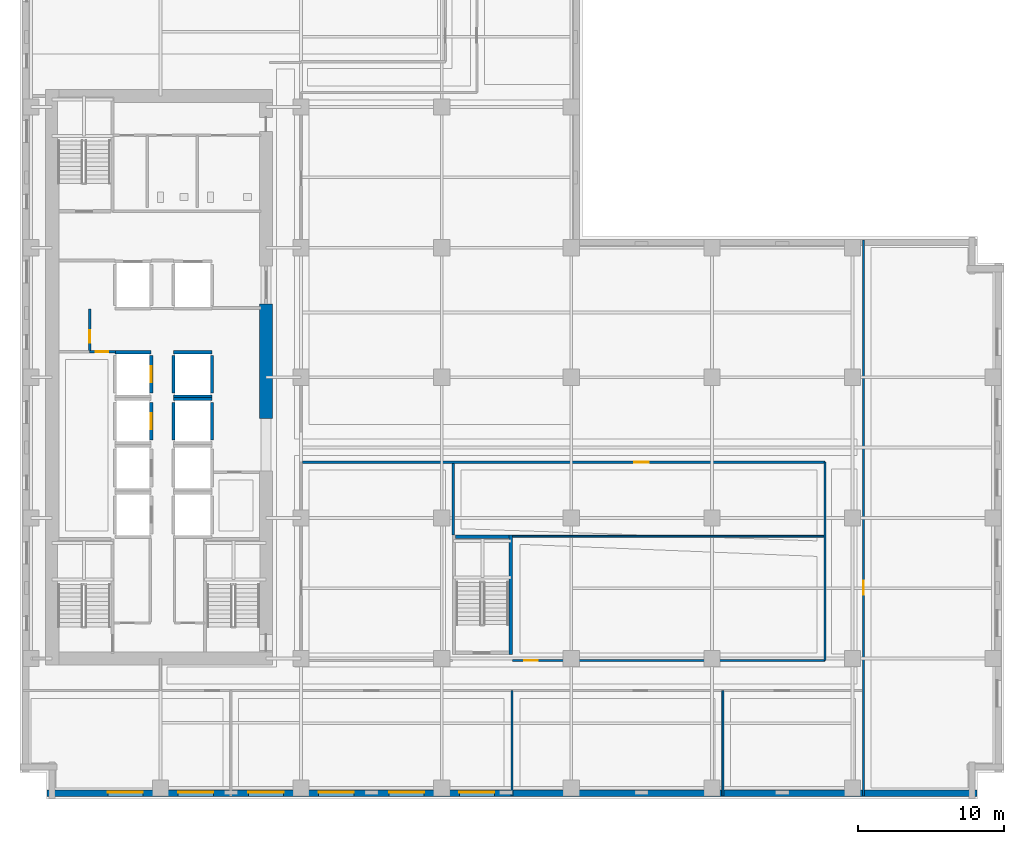
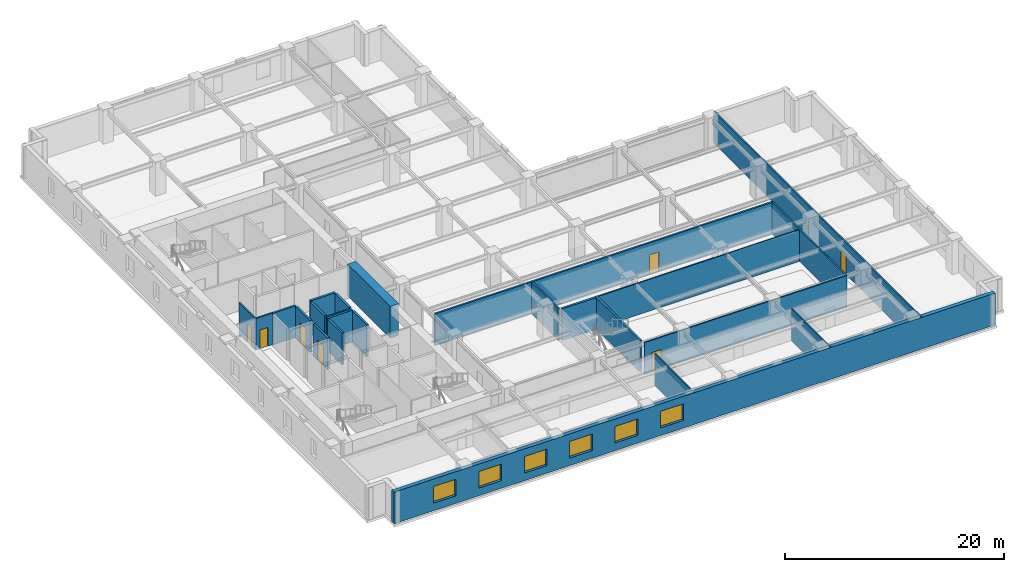
# One storey, part 5 of 13: 24 walls, 7 doors, 6 windows, 13 openings.
"""IFC4 building model written with IfcOpenShell, lengths in metres."""

from ifc_helpers import new_model, si_unit, direction, frame, frame_2d, origin, place, context, subcontext, project, spatial, rectangle, extrude, material, layer, layer_set, type_object, element, fill, save


model = new_model("IFC4")

# Units and contexts
model_context = context("Model", 3, precision=1e-05, world=origin(), true_north=direction((0.0, 1.0)))
body_context = subcontext(model_context, "Body", "Model", "MODEL_VIEW")
ifc_project = project(units=[si_unit("LENGTHUNIT", "METRE"), si_unit("AREAUNIT", "SQUARE_METRE"), si_unit("VOLUMEUNIT", "CUBIC_METRE"), si_unit("PLANEANGLEUNIT", "RADIAN"), si_unit("MASSUNIT", "GRAM", prefix="KILO")], contexts=[model_context])

# Site, building, storey
site_placement = place(None, origin())
site = spatial("IfcSite", under=ifc_project, at=site_placement, CompositionType="ELEMENT")
building_placement = place(site_placement, origin())
building = spatial("IfcBuilding", under=site, at=building_placement, Name="Norrvale University Quadrangle", CompositionType="ELEMENT")
storey_placement = place(building_placement, frame((0.0, 0.0, 81.199951171875)))
storey = spatial("IfcBuildingStorey", under=building, at=storey_placement, Name="L20", CompositionType="ELEMENT", Elevation=81.199951171875)

# Wall, openings, windows
ifc_material_1 = material(Name="Buff Norman Clay Brick Masonry", Category="masonry")
ifc_layer_1 = layer(ifc_material_1, 0.419921875, Name="Buff Norman Clay Brick Masonry")
ifc_layer_set_1 = layer_set([ifc_layer_1], Name="Buff Norman Clay Brick Masonry")
wall_type_1 = type_object("IfcWallType", Name="Wall Buff Brick 420", PredefinedType="SOLIDWALL", material=ifc_layer_set_1)
wall_1_placement = place(storey_placement, frame((1.840087890625, 0.389892578125, 0.0), z_axis=(0.0, 0.0, 1.0), x_axis=(1.0, 0.0, 0.0)))
wall_1 = element("IfcWall", 1, at=wall_1_placement, inside=storey, type_object=wall_type_1, Name="Exterior Brick Facade Wall L20-01.1", PredefinedType="SOLIDWALL", context=body_context, shape_type="SweptSolid", body=[
    extrude(rectangle(XDim=63.52001953125, YDim=0.419921875, at=frame_2d((31.760009765625, 0.0))), origin(), (0.0, 0.0, 1.0), 3.5400390625),
])
opening_1_placement = place(wall_1_placement, frame((4.159912109375, 0.0, 0.85009765625)))
opening_1 = element("IfcOpeningElement", 2, at=opening_1_placement, cuts=wall_1, Name="Opening W02", PredefinedType="OPENING", context=body_context, shape_type="SweptSolid", body=[
    extrude(rectangle(XDim=2.39990234375, YDim=1.85009765625, at=frame_2d((1.199951171875, 0.925048828125))), frame((0.0, 0.221923828125, 0.0), z_axis=(0.0, -1.0, 0.0), x_axis=(1.0, 0.0, 0.0)), (0.0, 0.0, 1.0), 0.44384765625),
])
opening_2_placement = place(wall_1_placement, frame((8.9599609375, 0.0, 0.85009765625)))
opening_2 = element("IfcOpeningElement", 3, at=opening_2_placement, cuts=wall_1, Name="Opening W02", PredefinedType="OPENING", context=body_context, shape_type="SweptSolid", body=[
    extrude(rectangle(XDim=2.39990234375, YDim=1.85009765625, at=frame_2d((1.199951171875, 0.925048828125))), frame((0.0, 0.221923828125, 0.0), z_axis=(0.0, -1.0, 0.0), x_axis=(1.0, 0.0, 0.0)), (0.0, 0.0, 1.0), 0.44384765625),
])
opening_3_placement = place(wall_1_placement, frame((13.760009765625, 0.0, 0.85009765625)))
opening_3 = element("IfcOpeningElement", 4, at=opening_3_placement, cuts=wall_1, Name="Opening W02", PredefinedType="OPENING", context=body_context, shape_type="SweptSolid", body=[
    extrude(rectangle(XDim=2.39990234375, YDim=1.85009765625, at=frame_2d((1.199951171875, 0.925048828125))), frame((0.0, 0.221923828125, 0.0), z_axis=(0.0, -1.0, 0.0), x_axis=(1.0, 0.0, 0.0)), (0.0, 0.0, 1.0), 0.44384765625),
])
opening_4_placement = place(wall_1_placement, frame((18.56005859375, 0.0, 0.85009765625)))
opening_4 = element("IfcOpeningElement", 5, at=opening_4_placement, cuts=wall_1, Name="Opening W02", PredefinedType="OPENING", context=body_context, shape_type="SweptSolid", body=[
    extrude(rectangle(XDim=2.39990234375, YDim=1.85009765625, at=frame_2d((1.199951171875, 0.925048828125))), frame((0.0, 0.221923828125, 0.0), z_axis=(0.0, -1.0, 0.0), x_axis=(1.0, 0.0, 0.0)), (0.0, 0.0, 1.0), 0.44384765625),
])
opening_5_placement = place(wall_1_placement, frame((23.360107421875, 0.0, 0.85009765625)))
opening_5 = element("IfcOpeningElement", 6, at=opening_5_placement, cuts=wall_1, Name="Opening W02", PredefinedType="OPENING", context=body_context, shape_type="SweptSolid", body=[
    extrude(rectangle(XDim=2.39990234375, YDim=1.85009765625, at=frame_2d((1.199951171875, 0.925048828125))), frame((0.0, 0.221923828125, 0.0), z_axis=(0.0, -1.0, 0.0), x_axis=(1.0, 0.0, 0.0)), (0.0, 0.0, 1.0), 0.44384765625),
])
opening_6_placement = place(wall_1_placement, frame((28.159912109375, 0.0, 0.85009765625)))
opening_6 = element("IfcOpeningElement", 7, at=opening_6_placement, cuts=wall_1, Name="Opening W02", PredefinedType="OPENING", context=body_context, shape_type="SweptSolid", body=[
    extrude(rectangle(XDim=2.39990234375, YDim=1.85009765625, at=frame_2d((1.199951171875, 0.925048828125))), frame((0.0, 0.221923828125, 0.0), z_axis=(0.0, -1.0, 0.0), x_axis=(1.0, 0.0, 0.0)), (0.0, 0.0, 1.0), 0.44384765625),
])
ifc_material_2 = material(Name="Triple Low-E Argon Glazing", Category="glass")
window_type = type_object("IfcWindowType", Name="Window Academic 2400x2300", PartitioningType="TRIPLE_PANEL_VERTICAL", PredefinedType="WINDOW", material=ifc_material_2)
window_1_placement = place(opening_1_placement, origin())
window_1 = element("IfcWindow", 8, at=window_1_placement, inside=storey, type_object=window_type, Name="Window Academic 2400x2300 WIN-L20-E01-1-01", OverallHeight=1.85009765625, OverallWidth=2.39990234375, PartitioningType="TRIPLE_PANEL_VERTICAL", PredefinedType="WINDOW", context=body_context, shape_type="SweptSolid", body=[
    extrude(rectangle(XDim=2.39990234375, YDim=1.85009765625, at=frame_2d((1.199951171875, 0.925048828125))), frame((0.0, 0.110107421875, 0.0), z_axis=(0.0, -1.0, 0.0), x_axis=(1.0, 0.0, 0.0)), (0.0, 0.0, 1.0), 0.06005859375),
])
fill(opening_1, window_1)
window_2_placement = place(opening_2_placement, origin())
window_2 = element("IfcWindow", 9, at=window_2_placement, inside=storey, type_object=window_type, Name="Window Academic 2400x2300 WIN-L20-E01-1-02", OverallHeight=1.85009765625, OverallWidth=2.39990234375, PartitioningType="TRIPLE_PANEL_VERTICAL", PredefinedType="WINDOW", context=body_context, shape_type="SweptSolid", body=[
    extrude(rectangle(XDim=2.39990234375, YDim=1.85009765625, at=frame_2d((1.199951171875, 0.925048828125))), frame((0.0, 0.110107421875, 0.0), z_axis=(0.0, -1.0, 0.0), x_axis=(1.0, 0.0, 0.0)), (0.0, 0.0, 1.0), 0.06005859375),
])
fill(opening_2, window_2)
window_3_placement = place(opening_3_placement, origin())
window_3 = element("IfcWindow", 10, at=window_3_placement, inside=storey, type_object=window_type, Name="Window Academic 2400x2300 WIN-L20-E01-1-03", OverallHeight=1.85009765625, OverallWidth=2.39990234375, PartitioningType="TRIPLE_PANEL_VERTICAL", PredefinedType="WINDOW", context=body_context, shape_type="SweptSolid", body=[
    extrude(rectangle(XDim=2.39990234375, YDim=1.85009765625, at=frame_2d((1.199951171875, 0.925048828125))), frame((0.0, 0.110107421875, 0.0), z_axis=(0.0, -1.0, 0.0), x_axis=(1.0, 0.0, 0.0)), (0.0, 0.0, 1.0), 0.06005859375),
])
fill(opening_3, window_3)
window_4_placement = place(opening_4_placement, origin())
window_4 = element("IfcWindow", 11, at=window_4_placement, inside=storey, type_object=window_type, Name="Window Academic 2400x2300 WIN-L20-E01-1-04", OverallHeight=1.85009765625, OverallWidth=2.39990234375, PartitioningType="TRIPLE_PANEL_VERTICAL", PredefinedType="WINDOW", context=body_context, shape_type="SweptSolid", body=[
    extrude(rectangle(XDim=2.39990234375, YDim=1.85009765625, at=frame_2d((1.199951171875, 0.925048828125))), frame((0.0, 0.110107421875, 0.0), z_axis=(0.0, -1.0, 0.0), x_axis=(1.0, 0.0, 0.0)), (0.0, 0.0, 1.0), 0.06005859375),
])
fill(opening_4, window_4)
window_5_placement = place(opening_5_placement, origin())
window_5 = element("IfcWindow", 12, at=window_5_placement, inside=storey, type_object=window_type, Name="Window Academic 2400x2300 WIN-L20-E01-1-05", OverallHeight=1.85009765625, OverallWidth=2.39990234375, PartitioningType="TRIPLE_PANEL_VERTICAL", PredefinedType="WINDOW", context=body_context, shape_type="SweptSolid", body=[
    extrude(rectangle(XDim=2.39990234375, YDim=1.85009765625, at=frame_2d((1.199951171875, 0.925048828125))), frame((0.0, 0.110107421875, 0.0), z_axis=(0.0, -1.0, 0.0), x_axis=(1.0, 0.0, 0.0)), (0.0, 0.0, 1.0), 0.06005859375),
])
fill(opening_5, window_5)
window_6_placement = place(opening_6_placement, origin())
window_6 = element("IfcWindow", 13, at=window_6_placement, inside=storey, type_object=window_type, Name="Window Academic 2400x2300 WIN-L20-E01-1-06", OverallHeight=1.85009765625, OverallWidth=2.39990234375, PartitioningType="TRIPLE_PANEL_VERTICAL", PredefinedType="WINDOW", context=body_context, shape_type="SweptSolid", body=[
    extrude(rectangle(XDim=2.39990234375, YDim=1.85009765625, at=frame_2d((1.199951171875, 0.925048828125))), frame((0.0, 0.110107421875, 0.0), z_axis=(0.0, -1.0, 0.0), x_axis=(1.0, 0.0, 0.0)), (0.0, 0.0, 1.0), 0.06005859375),
])
fill(opening_6, window_6)

# Walls
ifc_material_3 = material(Name="Concrete C80/95", Category="concrete")
ifc_layer_2 = layer(ifc_material_3, 0.89990234375, Name="Concrete C80/95")
ifc_layer_set_2 = layer_set([ifc_layer_2], Name="Concrete C80/95")
wall_type_2 = type_object("IfcWallType", Name="Wall Core 900", PredefinedType="SHEAR", material=ifc_layer_set_2)
wall_2_placement = place(storey_placement, frame((16.800048828125, 26.0, 0.0), z_axis=(0.0, 0.0, 1.0), x_axis=(0.0, 1.0, 0.0)))
element("IfcWall", 14, at=wall_2_placement, inside=storey, type_object=wall_type_2, Name="Tower Core Shear Wall L20-E2", PredefinedType="SHEAR", context=body_context, shape_type="SweptSolid", body=[
    extrude(rectangle(XDim=7.800048828125, YDim=0.89990234375, at=frame_2d((3.89990234375, 0.0))), origin(), (0.0, 0.0, 1.0), 3.5400390625),
])
ifc_material_4 = material(Name="Standard Academic Gypsum Partition")
ifc_layer_3 = layer(ifc_material_4, 0.125, Name="Standard Academic Gypsum Partition")
ifc_layer_set_3 = layer_set([ifc_layer_3], Name="Standard Academic Gypsum Partition")
wall_type_3 = type_object("IfcWallType", Name="Wall Gypsum Academic 125", PredefinedType="PARTITIONING", material=ifc_layer_set_3)
for number, where, z_axis, x_axis, name in (
    (15, (33.60009765625, 0.219970703125, 0.0), (0.0, 0.0, 1.0), (0.0, 1.0, 0.0), "Interior Partition WL-L20-SP02"),
    (16, (48.0, 0.219970703125, 0.0), (0.0, 0.0, 1.0), (0.0, 1.0, 0.0), "Interior Partition WL-L20-SP03"),
):
    element("IfcWall", number, at=place(storey_placement, frame(where, z_axis=z_axis, x_axis=x_axis)), inside=storey, type_object=wall_type_3, Name=name, PredefinedType="PARTITIONING", context=body_context, shape_type="SweptSolid", body=[
        extrude(rectangle(XDim=7.179931640625, YDim=0.125, at=frame_2d((3.58984375, 0.0))), origin(), (0.0, 0.0, 1.0), 3.5400390625),
    ])
wall_3_placement = place(storey_placement, frame((33.6201171875, 17.93994140625, 0.0), z_axis=(0.0, 0.0, 1.0), x_axis=(1.0, 0.0, 0.0)))
element("IfcWall", 17, at=wall_3_placement, inside=storey, type_object=wall_type_3, Name="Interior Partition WL-L20-ISLH", PredefinedType="PARTITIONING", context=body_context, shape_type="SweptSolid", body=[
    extrude(rectangle(XDim=21.35498046875, YDim=0.125, at=frame_2d((10.677490234375, 0.0))), origin(), (0.0, 0.0, 1.0), 3.5400390625),
])

# Wall, opening, door
ifc_material_5 = material(Name="Fire-Rated Gypsum Stud Partition")
ifc_layer_4 = layer(ifc_material_5, 0.14990234375, Name="Fire-Rated Gypsum Stud Partition")
ifc_layer_set_4 = layer_set([ifc_layer_4], Name="Fire-Rated Gypsum Stud Partition")
wall_type_4 = type_object("IfcWallType", Name="Wall Gypsum Corridor 150", PredefinedType="PARTITIONING", material=ifc_layer_set_4)
wall_4_placement = place(storey_placement, frame((4.760009765625, 30.550048828125, 0.0), z_axis=(0.0, 0.0, 1.0), x_axis=(0.0, 1.0, 0.0)))
wall_4 = element("IfcWall", 18, at=wall_4_placement, inside=storey, type_object=wall_type_4, Name="Interior Partition WL-L20-WME-E", PredefinedType="PARTITIONING", context=body_context, shape_type="SweptSolid", body=[
    extrude(rectangle(XDim=2.929931640625, YDim=0.14990234375, at=frame_2d((1.46484375, 0.0))), origin(), (0.0, 0.0, 1.0), 3.5400390625),
])
opening_7_placement = place(wall_4_placement, frame((0.60009765625, 0.0, 0.0)))
opening_7 = element("IfcOpeningElement", 19, at=opening_7_placement, cuts=wall_4, Name="Opening D10", PredefinedType="OPENING", context=body_context, shape_type="SweptSolid", body=[
    extrude(rectangle(XDim=0.85009765625, YDim=2.10009765625, at=frame_2d((0.425048828125, 1.050048828125))), frame((0.0, 0.0869140625, 0.0), z_axis=(0.0, -1.0, 0.0), x_axis=(1.0, 0.0, 0.0)), (0.0, 0.0, 1.0), 0.173828125),
])
ifc_material_6 = material(Name="Hollow Steel 350W Riser Fire Door", Category="steel")
door_type_1 = type_object("IfcDoorType", Name="Door Riser 850x2100", OperationType="NOTDEFINED", PredefinedType="DOOR", material=ifc_material_6)
door_1_placement = place(opening_7_placement, origin())
door_1 = element("IfcDoor", 20, at=door_1_placement, inside=storey, type_object=door_type_1, Name="Door Riser 850x2100 DR-L20-WME", OperationType="SINGLE_SWING_LEFT", OverallHeight=2.10009765625, OverallWidth=0.85009765625, PredefinedType="DOOR", context=body_context, shape_type="SweptSolid", body=[
    extrude(rectangle(XDim=0.85009765625, YDim=2.10009765625, at=frame_2d((0.425048828125, 1.050048828125))), frame((0.0, 0.02490234375, 0.0), z_axis=(0.0, -1.0, 0.0), x_axis=(1.0, 0.0, 0.0)), (0.0, 0.0, 1.0), 0.050048828125),
])
fill(opening_7, door_1)

wall_5_placement = place(storey_placement, frame((4.760009765625, 30.550048828125, 0.0), z_axis=(0.0, 0.0, 1.0), x_axis=(1.0, 0.0, 0.0)))
wall_5 = element("IfcWall", 21, at=wall_5_placement, inside=storey, type_object=wall_type_4, Name="Interior Partition WL-L20-WST-N", PredefinedType="PARTITIONING", context=body_context, shape_type="SweptSolid", body=[
    extrude(rectangle(XDim=1.760009765625, YDim=0.14990234375, at=frame_2d((0.8798828125, 0.0))), origin(), (0.0, 0.0, 1.0), 3.5400390625),
])
opening_8_placement = place(wall_5_placement, frame((0.39990234375, 0.0, 0.0)))
opening_8 = element("IfcOpeningElement", 22, at=opening_8_placement, cuts=wall_5, Name="Opening D10", PredefinedType="OPENING", context=body_context, shape_type="SweptSolid", body=[
    extrude(rectangle(XDim=0.85009765625, YDim=2.10009765625, at=frame_2d((0.425048828125, 1.050048828125))), frame((0.0, 0.0869140625, 0.0), z_axis=(0.0, -1.0, 0.0), x_axis=(1.0, 0.0, 0.0)), (0.0, 0.0, 1.0), 0.173828125),
])
door_2_placement = place(opening_8_placement, origin())
door_2 = element("IfcDoor", 23, at=door_2_placement, inside=storey, type_object=door_type_1, Name="Door Riser 850x2100 DR-L20-WST", OperationType="SINGLE_SWING_RIGHT", OverallHeight=2.10009765625, OverallWidth=0.85009765625, PredefinedType="DOOR", context=body_context, shape_type="SweptSolid", body=[
    extrude(rectangle(XDim=0.85009765625, YDim=2.10009765625, at=frame_2d((0.425048828125, 1.050048828125))), frame((0.0, 0.02490234375, 0.0), z_axis=(0.0, -1.0, 0.0), x_axis=(1.0, 0.0, 0.0)), (0.0, 0.0, 1.0), 0.050048828125),
])
fill(opening_8, door_2)

wall_6_placement = place(storey_placement, frame((57.60009765625, 0.219970703125, 0.0), z_axis=(0.0, 0.0, 1.0), x_axis=(0.0, 1.0, 0.0)))
wall_6 = element("IfcWall", 24, at=wall_6_placement, inside=storey, type_object=wall_type_4, Name="Interior Partition WL-L20-ECW", PredefinedType="PARTITIONING", context=body_context, shape_type="SweptSolid", body=[
    extrude(rectangle(XDim=37.9599609375, YDim=0.14990234375, at=frame_2d((18.97998046875, 0.0))), origin(), (0.0, 0.0, 1.0), 3.5400390625),
])
opening_9_placement = place(wall_6_placement, frame((13.72998046875, 0.0, 0.0)))
opening_9 = element("IfcOpeningElement", 25, at=opening_9_placement, cuts=wall_6, Name="Opening D07", PredefinedType="OPENING", context=body_context, shape_type="SweptSolid", body=[
    extrude(rectangle(XDim=0.949951171875, YDim=2.14990234375, at=frame_2d((0.47509765625, 1.074951171875))), frame((0.0, 0.0869140625, 0.0), z_axis=(0.0, -1.0, 0.0), x_axis=(1.0, 0.0, 0.0)), (0.0, 0.0, 1.0), 0.173828125),
])
ifc_material_7 = material(Name="Solid-Core Maple Door", Category="wood")
door_type_2 = type_object("IfcDoorType", Name="Door Office 950x2150", OperationType="NOTDEFINED", PredefinedType="DOOR", material=ifc_material_7)
door_3_placement = place(opening_9_placement, origin())
door_3 = element("IfcDoor", 26, at=door_3_placement, inside=storey, type_object=door_type_2, Name="Door Office 950x2150 DR-L20-E01", OperationType="SINGLE_SWING_RIGHT", OverallHeight=2.14990234375, OverallWidth=0.949951171875, PredefinedType="DOOR", context=body_context, shape_type="SweptSolid", body=[
    extrude(rectangle(XDim=0.949951171875, YDim=2.14990234375, at=frame_2d((0.47509765625, 1.074951171875))), frame((0.0, 0.02490234375, 0.0), z_axis=(0.0, -1.0, 0.0), x_axis=(1.0, 0.0, 0.0)), (0.0, 0.0, 1.0), 0.050048828125),
])
fill(opening_9, door_3)

wall_7_placement = place(storey_placement, frame((33.6201171875, 9.449951171875, 0.0), z_axis=(0.0, 0.0, 1.0), x_axis=(1.0, 0.0, 0.0)))
wall_7 = element("IfcWall", 27, at=wall_7_placement, inside=storey, type_object=wall_type_4, Name="Interior Partition WL-L20-ISLS2", PredefinedType="PARTITIONING", context=body_context, shape_type="SweptSolid", body=[
    extrude(rectangle(XDim=21.35498046875, YDim=0.14990234375, at=frame_2d((10.677490234375, 0.0))), origin(), (0.0, 0.0, 1.0), 3.5400390625),
])
opening_10_placement = place(wall_7_placement, frame((0.800048828125, 0.0, 0.0)))
opening_10 = element("IfcOpeningElement", 28, at=opening_10_placement, cuts=wall_7, Name="Opening D07", PredefinedType="OPENING", context=body_context, shape_type="SweptSolid", body=[
    extrude(rectangle(XDim=0.949951171875, YDim=2.14990234375, at=frame_2d((0.47509765625, 1.074951171875))), frame((0.0, 0.0869140625, 0.0), z_axis=(0.0, -1.0, 0.0), x_axis=(1.0, 0.0, 0.0)), (0.0, 0.0, 1.0), 0.173828125),
])
door_4_placement = place(opening_10_placement, origin())
door_4 = element("IfcDoor", 29, at=door_4_placement, inside=storey, type_object=door_type_2, Name="Door Office 950x2150 DR-L20-ISE", OperationType="SINGLE_SWING_LEFT", OverallHeight=2.14990234375, OverallWidth=0.949951171875, PredefinedType="DOOR", context=body_context, shape_type="SweptSolid", body=[
    extrude(rectangle(XDim=0.949951171875, YDim=2.14990234375, at=frame_2d((0.47509765625, 1.074951171875))), frame((0.0, 0.02490234375, 0.0), z_axis=(0.0, -1.0, 0.0), x_axis=(1.0, 0.0, 0.0)), (0.0, 0.0, 1.0), 0.050048828125),
])
fill(opening_10, door_4)

# Walls
wall_8_placement = place(storey_placement, frame((54.97509765625, 9.449951171875, 0.0), z_axis=(0.0, 0.0, 1.0), x_axis=(0.0, 1.0, 0.0)))
element("IfcWall", 30, at=wall_8_placement, inside=storey, type_object=wall_type_4, Name="Interior Partition WL-L20-ISLE", PredefinedType="PARTITIONING", context=body_context, shape_type="SweptSolid", body=[
    extrude(rectangle(XDim=13.550048828125, YDim=0.14990234375, at=frame_2d((6.77490234375, 0.0))), origin(), (0.0, 0.0, 1.0), 3.5400390625),
])
ifc_material_8 = material(Name="Acoustic Double-Stud Gypsum Partition")
ifc_layer_5 = layer(ifc_material_8, 0.179931640625, Name="Acoustic Double-Stud Gypsum Partition")
ifc_layer_set_5 = layer_set([ifc_layer_5], Name="Acoustic Double-Stud Gypsum Partition")
wall_type_5 = type_object("IfcWallType", Name="Wall Gypsum Lecture 180", PredefinedType="PARTITIONING", material=ifc_layer_set_5)
wall_9_placement = place(storey_placement, frame((29.580078125, 18.02490234375, 0.0), z_axis=(0.0, 0.0, 1.0), x_axis=(0.0, 1.0, 0.0)))
element("IfcWall", 31, at=wall_9_placement, inside=storey, type_object=wall_type_5, Name="Interior Partition WL-L20-ISLD", PredefinedType="PARTITIONING", context=body_context, shape_type="SweptSolid", body=[
    extrude(rectangle(XDim=4.880126953125, YDim=0.179931640625, at=frame_2d((2.43994140625, 0.0))), origin(), (0.0, 0.0, 1.0), 3.5400390625),
])

# Wall, opening, door
wall_10_placement = place(storey_placement, frame((19.280029296875, 23.0, 0.0), z_axis=(0.0, 0.0, 1.0), x_axis=(1.0, 0.0, 0.0)))
wall_10 = element("IfcWall", 32, at=wall_10_placement, inside=storey, type_object=wall_type_5, Name="Interior Partition WL-L20-ISLN", PredefinedType="PARTITIONING", context=body_context, shape_type="SweptSolid", body=[
    extrude(rectangle(XDim=35.695068359375, YDim=0.179931640625, at=frame_2d((17.84765625, 0.0))), origin(), (0.0, 0.0, 1.0), 3.5400390625),
])
opening_11_placement = place(wall_10_placement, frame((22.669921875, 0.0, 0.0)))
opening_11 = element("IfcOpeningElement", 33, at=opening_11_placement, cuts=wall_10, Name="Opening D04", PredefinedType="OPENING", context=body_context, shape_type="SweptSolid", body=[
    extrude(rectangle(XDim=1.0, YDim=2.199951171875, at=frame_2d((0.5, 1.10009765625))), frame((0.0, 0.10205078125, 0.0), z_axis=(0.0, -1.0, 0.0), x_axis=(1.0, 0.0, 0.0)), (0.0, 0.0, 1.0), 0.203857421875),
])
ifc_material_9 = material(Name="Solid-Core Oak Fire Door", Category="wood")
door_type_3 = type_object("IfcDoorType", Name="Door Corridor 1000x2200", OperationType="NOTDEFINED", PredefinedType="DOOR", material=ifc_material_9)
door_5_placement = place(opening_11_placement, origin())
door_5 = element("IfcDoor", 34, at=door_5_placement, inside=storey, type_object=door_type_3, Name="Door Corridor 1000x2200 DR-L20-ILH", OperationType="SINGLE_SWING_RIGHT", OverallHeight=2.199951171875, OverallWidth=1.0, PredefinedType="DOOR", context=body_context, shape_type="SweptSolid", body=[
    extrude(rectangle(XDim=1.0, YDim=2.199951171875, at=frame_2d((0.5, 1.10009765625))), frame((0.0, 0.02490234375, 0.0), z_axis=(0.0, -1.0, 0.0), x_axis=(1.0, 0.0, 0.0)), (0.0, 0.0, 1.0), 0.050048828125),
])
fill(opening_11, door_5)

# Walls
ifc_material_10 = material(Name="Concrete Blockwork 20 MPa Fire Shaft", Category="masonry")
ifc_layer_6 = layer(ifc_material_10, 0.219970703125, Name="Concrete Blockwork 20 MPa Fire Shaft")
ifc_layer_set_6 = layer_set([ifc_layer_6], Name="Concrete Blockwork 20 MPa Fire Shaft")
wall_type_6 = type_object("IfcWallType", Name="Wall Shaft 220", PredefinedType="SOLIDWALL", material=ifc_layer_set_6)
wall_11_placement = place(storey_placement, frame((33.510009765625, 9.8798828125, 0.0), z_axis=(0.0, 0.0, 1.0), x_axis=(0.0, 1.0, 0.0)))
element("IfcWall", 35, at=wall_11_placement, inside=storey, type_object=wall_type_6, Name="Stair ST-04 East Shaft Wall L20", PredefinedType="SOLIDWALL", context=body_context, shape_type="SweptSolid", body=[
    extrude(rectangle(XDim=8.14013671875, YDim=0.219970703125, at=frame_2d((4.070068359375, 0.0))), origin(), (0.0, 0.0, 1.0), 3.5400390625),
])
wall_12_placement = place(storey_placement, frame((29.75, 17.909912109375, 0.0), z_axis=(0.0, 0.0, 1.0), x_axis=(1.0, 0.0, 0.0)))
element("IfcWall", 36, at=wall_12_placement, inside=storey, type_object=wall_type_6, Name="Stair ST-04 North Shaft Wall L20", PredefinedType="SOLIDWALL", context=body_context, shape_type="SweptSolid", body=[
    extrude(rectangle(XDim=3.64990234375, YDim=0.219970703125, at=frame_2d((1.824951171875, 0.0))), origin(), (0.0, 0.0, 1.0), 3.5400390625),
])

# Wall, opening, door
wall_13_placement = place(storey_placement, frame((8.9599609375, 24.510009765625, 0.0), z_axis=(0.0, 0.0, 1.0), x_axis=(0.0, 1.0, 0.0)))
wall_13 = element("IfcWall", 37, at=wall_13_placement, inside=storey, type_object=wall_type_6, Name="Hoistway PL-03 East Wall L20", PredefinedType="SOLIDWALL", context=body_context, shape_type="SweptSolid", body=[
    extrude(rectangle(XDim=2.580078125, YDim=0.219970703125, at=frame_2d((1.2900390625, 0.0))), origin(), (0.0, 0.0, 1.0), 3.5400390625),
])
opening_12_placement = place(wall_13_placement, frame((0.739990234375, 0.0, 0.0)))
opening_12 = element("IfcOpeningElement", 38, at=opening_12_placement, cuts=wall_13, Name="Opening LD1", PredefinedType="OPENING", context=body_context, shape_type="SweptSolid", body=[
    extrude(rectangle(XDim=1.10009765625, YDim=2.199951171875, at=frame_2d((0.550048828125, 1.10009765625))), frame((0.0, 0.1220703125, 0.0), z_axis=(0.0, -1.0, 0.0), x_axis=(1.0, 0.0, 0.0)), (0.0, 0.0, 1.0), 0.243896484375),
])
ifc_material_11 = material(Name="Stainless Steel 316L Lift Landing Door", Category="steel")
door_type_4 = type_object("IfcDoorType", Name="Door Lift Landing 1100x2200", OperationType="DOUBLE_DOOR_SLIDING", PredefinedType="DOOR", material=ifc_material_11)
door_6_placement = place(opening_12_placement, origin())
door_6 = element("IfcDoor", 39, at=door_6_placement, inside=storey, type_object=door_type_4, Name="Elevator Landing Door DR-L20-PL-03", OperationType="DOUBLE_DOOR_SLIDING", OverallHeight=2.199951171875, OverallWidth=1.10009765625, PredefinedType="DOOR", context=body_context, shape_type="SweptSolid", body=[
    extrude(rectangle(XDim=1.10009765625, YDim=2.199951171875, at=frame_2d((0.550048828125, 1.10009765625))), frame((0.0, 0.02490234375, 0.0), z_axis=(0.0, -1.0, 0.0), x_axis=(1.0, 0.0, 0.0)), (0.0, 0.0, 1.0), 0.050048828125),
])
fill(opening_12, door_6)

wall_14_placement = place(storey_placement, frame((8.9599609375, 27.7099609375, 0.0), z_axis=(0.0, 0.0, 1.0), x_axis=(0.0, 1.0, 0.0)))
wall_14 = element("IfcWall", 40, at=wall_14_placement, inside=storey, type_object=wall_type_6, Name="Hoistway PL-04 East Wall L20", PredefinedType="SOLIDWALL", context=body_context, shape_type="SweptSolid", body=[
    extrude(rectangle(XDim=2.580078125, YDim=0.219970703125, at=frame_2d((1.2900390625, 0.0))), origin(), (0.0, 0.0, 1.0), 3.5400390625),
])
opening_13_placement = place(wall_14_placement, frame((0.739990234375, 0.0, 0.0)))
opening_13 = element("IfcOpeningElement", 41, at=opening_13_placement, cuts=wall_14, Name="Opening LD1", PredefinedType="OPENING", context=body_context, shape_type="SweptSolid", body=[
    extrude(rectangle(XDim=1.10009765625, YDim=2.199951171875, at=frame_2d((0.550048828125, 1.10009765625))), frame((0.0, 0.1220703125, 0.0), z_axis=(0.0, -1.0, 0.0), x_axis=(1.0, 0.0, 0.0)), (0.0, 0.0, 1.0), 0.243896484375),
])
door_7_placement = place(opening_13_placement, origin())
door_7 = element("IfcDoor", 42, at=door_7_placement, inside=storey, type_object=door_type_4, Name="Elevator Landing Door DR-L20-PL-04", OperationType="DOUBLE_DOOR_SLIDING", OverallHeight=2.199951171875, OverallWidth=1.10009765625, PredefinedType="DOOR", context=body_context, shape_type="SweptSolid", body=[
    extrude(rectangle(XDim=1.10009765625, YDim=2.199951171875, at=frame_2d((0.550048828125, 1.10009765625))), frame((0.0, 0.02490234375, 0.0), z_axis=(0.0, -1.0, 0.0), x_axis=(1.0, 0.0, 0.0)), (0.0, 0.0, 1.0), 0.050048828125),
])
fill(opening_13, door_7)

# Walls
wall_15_placement = place(storey_placement, frame((6.489990234375, 30.510009765625, 0.0), z_axis=(0.0, 0.0, 1.0), x_axis=(1.0, 0.0, 0.0)))
element("IfcWall", 43, at=wall_15_placement, inside=storey, type_object=wall_type_6, Name="Hoistway PL-04 North Wall L20", PredefinedType="SOLIDWALL", context=body_context, shape_type="SweptSolid", body=[
    extrude(rectangle(XDim=2.469970703125, YDim=0.219970703125, at=frame_2d((1.23486328125, 0.0))), origin(), (0.0, 0.0, 1.0), 3.5400390625),
])
for number, where, z_axis, x_axis, name in (
    (44, (10.489990234375, 24.510009765625, 0.0), (0.0, 0.0, 1.0), (0.0, 1.0, 0.0), "Hoistway PL-07 West Wall L20"),
    (45, (13.110107421875, 24.510009765625, 0.0), (0.0, 0.0, 1.0), (0.0, 1.0, 0.0), "Hoistway PL-07 East Wall L20"),
):
    element("IfcWall", number, at=place(storey_placement, frame(where, z_axis=z_axis, x_axis=x_axis)), inside=storey, type_object=wall_type_6, Name=name, PredefinedType="SOLIDWALL", context=body_context, shape_type="SweptSolid", body=[
        extrude(rectangle(XDim=2.580078125, YDim=0.219970703125, at=frame_2d((1.2900390625, 0.0))), origin(), (0.0, 0.0, 1.0), 3.5400390625),
    ])
wall_16_placement = place(storey_placement, frame((10.489990234375, 27.31005859375, 0.0), z_axis=(0.0, 0.0, 1.0), x_axis=(1.0, 0.0, 0.0)))
element("IfcWall", 46, at=wall_16_placement, inside=storey, type_object=wall_type_6, Name="Hoistway PL-07 North Wall L20", PredefinedType="SOLIDWALL", context=body_context, shape_type="SweptSolid", body=[
    extrude(rectangle(XDim=2.6201171875, YDim=0.219970703125, at=frame_2d((1.31005859375, 0.0))), origin(), (0.0, 0.0, 1.0), 3.5400390625),
])
for number, where, z_axis, x_axis, name in (
    (47, (10.489990234375, 27.7099609375, 0.0), (0.0, 0.0, 1.0), (0.0, 1.0, 0.0), "Hoistway PL-08 West Wall L20"),
    (48, (13.110107421875, 27.7099609375, 0.0), (0.0, 0.0, 1.0), (0.0, 1.0, 0.0), "Hoistway PL-08 East Wall L20"),
):
    element("IfcWall", number, at=place(storey_placement, frame(where, z_axis=z_axis, x_axis=x_axis)), inside=storey, type_object=wall_type_6, Name=name, PredefinedType="SOLIDWALL", context=body_context, shape_type="SweptSolid", body=[
        extrude(rectangle(XDim=2.580078125, YDim=0.219970703125, at=frame_2d((1.2900390625, 0.0))), origin(), (0.0, 0.0, 1.0), 3.5400390625),
    ])
for number, where, z_axis, x_axis, name in (
    (49, (10.489990234375, 27.489990234375, 0.0), (0.0, 0.0, 1.0), (1.0, 0.0, 0.0), "Hoistway PL-08 South Wall L20"),
    (50, (10.489990234375, 30.510009765625, 0.0), (0.0, 0.0, 1.0), (1.0, 0.0, 0.0), "Hoistway PL-08 North Wall L20"),
):
    element("IfcWall", number, at=place(storey_placement, frame(where, z_axis=z_axis, x_axis=x_axis)), inside=storey, type_object=wall_type_6, Name=name, PredefinedType="SOLIDWALL", context=body_context, shape_type="SweptSolid", body=[
        extrude(rectangle(XDim=2.6201171875, YDim=0.219970703125, at=frame_2d((1.31005859375, 0.0))), origin(), (0.0, 0.0, 1.0), 3.5400390625),
    ])

save(model, "model.ifc")
